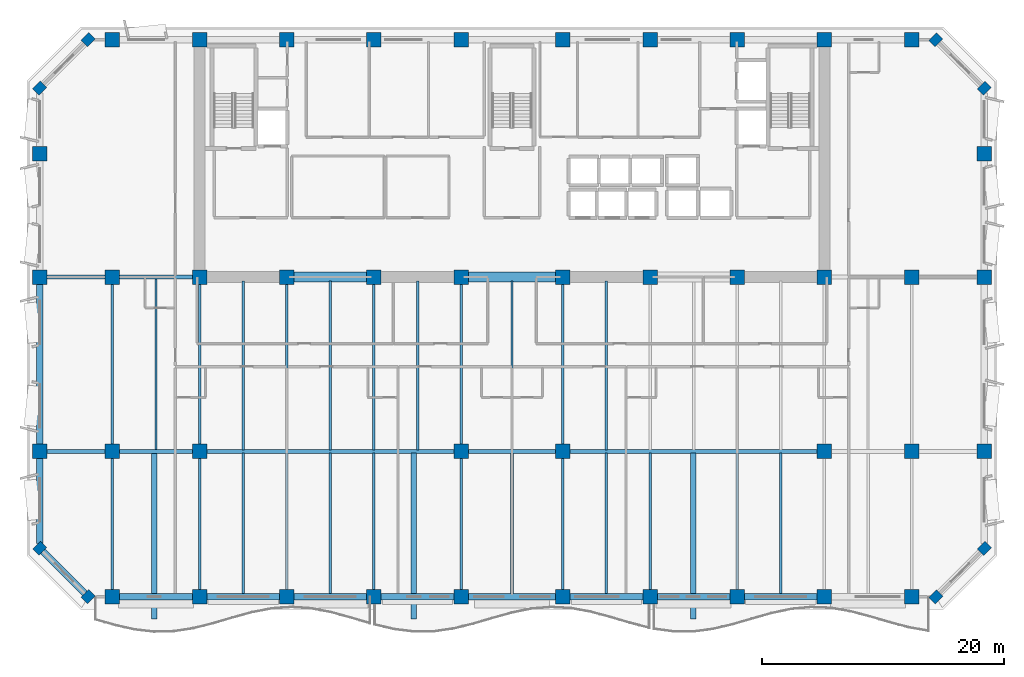
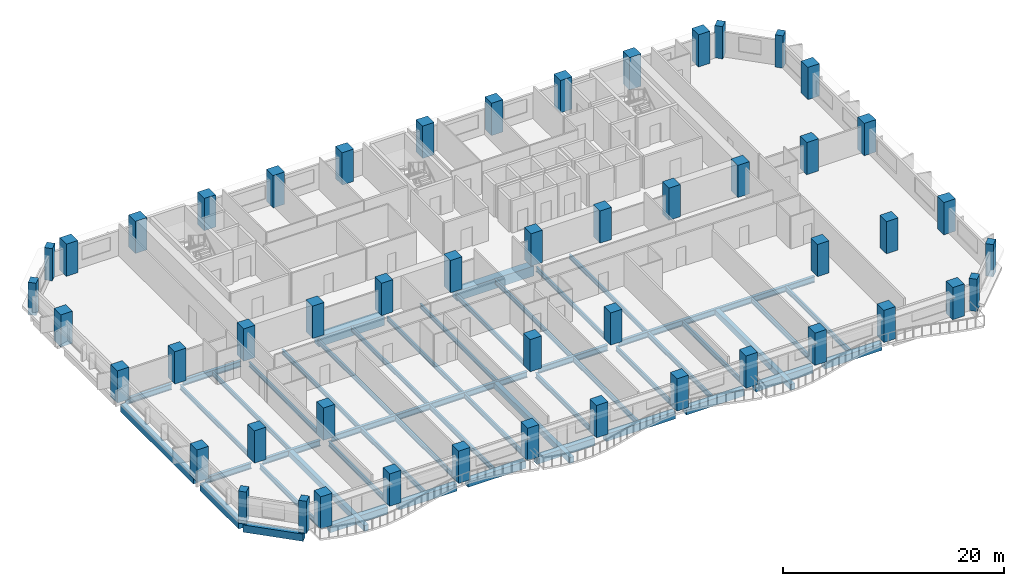
# One storey, part 1 of 14: 50 columns, 48 beams.
"""IFC4 building model written with IfcOpenShell, lengths in metres."""

from ifc_helpers import new_model, si_unit, direction, frame, origin, origin_2d, place, context, subcontext, project, spatial, rectangle, i_section, extrude, material, material_profile, profile_set, type_object, element, save


model = new_model("IFC4")

# Units and contexts
model_context = context("Model", 3, precision=1e-05, world=origin(), true_north=direction((0.0, 1.0)))
body_context = subcontext(model_context, "Body", "Model", "MODEL_VIEW")
ifc_project = project(units=[si_unit("LENGTHUNIT", "METRE"), si_unit("AREAUNIT", "SQUARE_METRE"), si_unit("VOLUMEUNIT", "CUBIC_METRE"), si_unit("PLANEANGLEUNIT", "RADIAN"), si_unit("MASSUNIT", "GRAM", prefix="KILO")], contexts=[model_context])

# Site, building, storey
site_placement = place(None, origin())
site = spatial("IfcSite", under=ifc_project, at=site_placement, CompositionType="ELEMENT")
building_placement = place(site_placement, origin())
building = spatial("IfcBuilding", under=site, at=building_placement, Name="Kaelvorn Grand Hotel", CompositionType="ELEMENT")
storey_placement = place(building_placement, frame((0.0, 0.0, 193.949951171875)))
storey = spatial("IfcBuildingStorey", under=building, at=storey_placement, Name="L47", CompositionType="ELEMENT", Elevation=193.949951171875)

# Columns
ifc_material_1 = material(Name="Concrete C60/75", Category="concrete")
ifc_material_profile_1 = material_profile(ifc_material_1, rectangle(XDim=0.89990234375, YDim=0.75, at=origin_2d()), Name="RC PILASTER 900x750")
ifc_profile_set_1 = profile_set([ifc_material_profile_1], Name="Concrete C60/75")
column_type_1 = type_object("IfcColumnType", Name="COL-PIL-900x750-C60", PredefinedType="PILASTER", material=ifc_profile_set_1)
for number, where, z_axis, x_axis, name in (
    (1, (7.0, 3.0, 0.0), (0.0, 0.0, 1.0), (0.707106781187, 0.707106781187, 0.0), "L47 Structural Column CH-01"),
    (2, (77.0, 3.0, 0.0), (0.0, 0.0, 1.0), (0.707106781187, 0.707106781187, 0.0), "L47 Structural Column CH-02"),
    (3, (81.0, 7.0, 0.0), (0.0, 0.0, 1.0), (0.707106781187, 0.707106781187, 0.0), "L47 Structural Column CH-03"),
    (4, (81.0, 45.0, 0.0), (0.0, 0.0, 1.0), (0.707106781187, 0.707106781187, 0.0), "L47 Structural Column CH-04"),
    (5, (77.0, 49.0, 0.0), (0.0, 0.0, 1.0), (0.707106781187, 0.707106781187, 0.0), "L47 Structural Column CH-05"),
    (6, (7.0, 49.0, 0.0), (0.0, 0.0, 1.0), (0.707106781187, 0.707106781187, 0.0), "L47 Structural Column CH-06"),
    (7, (3.0, 45.0, 0.0), (0.0, 0.0, 1.0), (0.707106781187, 0.707106781187, 0.0), "L47 Structural Column CH-07"),
    (8, (3.0, 7.0, 0.0), (0.0, 0.0, 1.0), (0.707106781187, 0.707106781187, 0.0), "L47 Structural Column CH-08"),
):
    element("IfcColumn", number, at=place(storey_placement, frame(where, z_axis=z_axis, x_axis=x_axis)), inside=storey, type_object=column_type_1, Name=name, PredefinedType="PILASTER", context=body_context, shape_type="SweptSolid", body=[
        extrude(rectangle(XDim=0.89990234375, YDim=0.75, at=origin_2d()), origin(), (0.0, 0.0, 1.0), 3.56005859375),
    ])
ifc_material_profile_2 = material_profile(ifc_material_1, rectangle(XDim=1.199951171875, YDim=1.199951171875, at=origin_2d()), Name="RC COL 1200x1200")
ifc_profile_set_2 = profile_set([ifc_material_profile_2], Name="Concrete C60/75")
column_type_2 = type_object("IfcColumnType", Name="COL-RC-1200-C60", PredefinedType="COLUMN", material=ifc_profile_set_2)
for number, where, z_axis, x_axis, name in (
    (9, (9.0, 3.0, 0.0), (0.0, 0.0, 1.0), (1.0, 0.0, 0.0), "L47 Structural Column S-01"),
    (10, (16.199951171875, 3.0, 0.0), (0.0, 0.0, 1.0), (1.0, 0.0, 0.0), "L47 Structural Column S-02"),
    (11, (23.39990234375, 3.0, 0.0), (0.0, 0.0, 1.0), (1.0, 0.0, 0.0), "L47 Structural Column S-03"),
    (12, (30.60009765625, 3.0, 0.0), (0.0, 0.0, 1.0), (1.0, 0.0, 0.0), "L47 Structural Column S-04"),
    (13, (37.800048828125, 3.0, 0.0), (0.0, 0.0, 1.0), (1.0, 0.0, 0.0), "L47 Structural Column S-05"),
    (14, (46.199951171875, 3.0, 0.0), (0.0, 0.0, 1.0), (1.0, 0.0, 0.0), "L47 Structural Column S-06"),
    (15, (53.39990234375, 3.0, 0.0), (0.0, 0.0, 1.0), (1.0, 0.0, 0.0), "L47 Structural Column S-07"),
    (16, (60.60009765625, 3.0, 0.0), (0.0, 0.0, 1.0), (1.0, 0.0, 0.0), "L47 Structural Column S-08"),
    (17, (67.800048828125, 3.0, 0.0), (0.0, 0.0, 1.0), (1.0, 0.0, 0.0), "L47 Structural Column S-09"),
    (18, (75.0, 3.0, 0.0), (0.0, 0.0, 1.0), (1.0, 0.0, 0.0), "L47 Structural Column S-10"),
    (19, (3.0, 15.0, 0.0), (0.0, 0.0, 1.0), (1.0, 0.0, 0.0), "L47 Structural Column W-01"),
    (20, (81.0, 15.0, 0.0), (0.0, 0.0, 1.0), (1.0, 0.0, 0.0), "L47 Structural Column E-01"),
    (21, (3.0, 29.39990234375, 0.0), (0.0, 0.0, 1.0), (1.0, 0.0, 0.0), "L47 Structural Column W-02"),
    (22, (81.0, 29.39990234375, 0.0), (0.0, 0.0, 1.0), (1.0, 0.0, 0.0), "L47 Structural Column E-02"),
    (23, (3.0, 39.60009765625, 0.0), (0.0, 0.0, 1.0), (1.0, 0.0, 0.0), "L47 Structural Column W-03"),
    (24, (81.0, 39.60009765625, 0.0), (0.0, 0.0, 1.0), (1.0, 0.0, 0.0), "L47 Structural Column E-03"),
    (25, (9.0, 15.0, 0.0), (0.0, 0.0, 1.0), (1.0, 0.0, 0.0), "L47 Structural Column M-01"),
    (26, (16.199951171875, 15.0, 0.0), (0.0, 0.0, 1.0), (1.0, 0.0, 0.0), "L47 Structural Column M-02"),
    (27, (37.800048828125, 15.0, 0.0), (0.0, 0.0, 1.0), (1.0, 0.0, 0.0), "L47 Structural Column M-03"),
    (28, (46.199951171875, 15.0, 0.0), (0.0, 0.0, 1.0), (1.0, 0.0, 0.0), "L47 Structural Column M-04"),
    (29, (67.800048828125, 15.0, 0.0), (0.0, 0.0, 1.0), (1.0, 0.0, 0.0), "L47 Structural Column M-05"),
    (30, (75.0, 15.0, 0.0), (0.0, 0.0, 1.0), (1.0, 0.0, 0.0), "L47 Structural Column M-06"),
    (31, (9.0, 29.39990234375, 0.0), (0.0, 0.0, 1.0), (1.0, 0.0, 0.0), "L47 Structural Column CR1-01"),
    (32, (9.0, 49.0, 0.0), (0.0, 0.0, 1.0), (1.0, 0.0, 0.0), "L47 Structural Column CR2-01"),
    (33, (16.199951171875, 29.39990234375, 0.0), (0.0, 0.0, 1.0), (1.0, 0.0, 0.0), "L47 Structural Column CR1-02"),
    (34, (16.199951171875, 49.0, 0.0), (0.0, 0.0, 1.0), (1.0, 0.0, 0.0), "L47 Structural Column CR2-02"),
    (35, (23.39990234375, 29.39990234375, 0.0), (0.0, 0.0, 1.0), (1.0, 0.0, 0.0), "L47 Structural Column CR1-03"),
    (36, (23.39990234375, 49.0, 0.0), (0.0, 0.0, 1.0), (1.0, 0.0, 0.0), "L47 Structural Column CR2-03"),
    (37, (30.60009765625, 29.39990234375, 0.0), (0.0, 0.0, 1.0), (1.0, 0.0, 0.0), "L47 Structural Column CR1-04"),
    (38, (30.60009765625, 49.0, 0.0), (0.0, 0.0, 1.0), (1.0, 0.0, 0.0), "L47 Structural Column CR2-04"),
    (39, (37.800048828125, 29.39990234375, 0.0), (0.0, 0.0, 1.0), (1.0, 0.0, 0.0), "L47 Structural Column CR1-05"),
    (40, (37.800048828125, 49.0, 0.0), (0.0, 0.0, 1.0), (1.0, 0.0, 0.0), "L47 Structural Column CR2-05"),
    (41, (46.199951171875, 29.39990234375, 0.0), (0.0, 0.0, 1.0), (1.0, 0.0, 0.0), "L47 Structural Column CR1-06"),
    (42, (46.199951171875, 49.0, 0.0), (0.0, 0.0, 1.0), (1.0, 0.0, 0.0), "L47 Structural Column CR2-06"),
    (43, (53.39990234375, 29.39990234375, 0.0), (0.0, 0.0, 1.0), (1.0, 0.0, 0.0), "L47 Structural Column CR1-07"),
    (44, (53.39990234375, 49.0, 0.0), (0.0, 0.0, 1.0), (1.0, 0.0, 0.0), "L47 Structural Column CR2-07"),
    (45, (60.60009765625, 29.39990234375, 0.0), (0.0, 0.0, 1.0), (1.0, 0.0, 0.0), "L47 Structural Column CR1-08"),
    (46, (60.60009765625, 49.0, 0.0), (0.0, 0.0, 1.0), (1.0, 0.0, 0.0), "L47 Structural Column CR2-08"),
    (47, (67.800048828125, 29.39990234375, 0.0), (0.0, 0.0, 1.0), (1.0, 0.0, 0.0), "L47 Structural Column CR1-09"),
    (48, (67.800048828125, 49.0, 0.0), (0.0, 0.0, 1.0), (1.0, 0.0, 0.0), "L47 Structural Column CR2-09"),
    (49, (75.0, 29.39990234375, 0.0), (0.0, 0.0, 1.0), (1.0, 0.0, 0.0), "L47 Structural Column CR1-10"),
    (50, (75.0, 49.0, 0.0), (0.0, 0.0, 1.0), (1.0, 0.0, 0.0), "L47 Structural Column CR2-10"),
):
    element("IfcColumn", number, at=place(storey_placement, frame(where, z_axis=z_axis, x_axis=x_axis)), inside=storey, type_object=column_type_2, Name=name, PredefinedType="COLUMN", context=body_context, shape_type="SweptSolid", body=[
        extrude(rectangle(XDim=1.199951171875, YDim=1.199951171875, at=origin_2d()), origin(), (0.0, 0.0, 1.0), 3.56005859375),
    ])

# Beams
ifc_material_2 = material(Name="Steel S355", Category="steel")
ifc_material_profile_3 = material_profile(ifc_material_2, i_section(OverallWidth=0.300048828125, OverallDepth=0.64990234375, WebThickness=0.01611328125, FlangeThickness=0.031005859375, FilletRadius=0.027099609375, at=origin_2d()), Name="HEB 650")
ifc_profile_set_3 = profile_set([ifc_material_profile_3], Name="Steel S355")
beam_type_1 = type_object("IfcBeamType", Name="BM-G-HEB650-S355", PredefinedType="BEAM", material=ifc_profile_set_3)
beam_1_placement = place(storey_placement, frame((3.5849609375, 15.0, -0.56494140625), z_axis=(1.0, 0.0, 0.0), x_axis=(0.0, 1.0, 0.0)))
element("IfcBeam", 51, at=beam_1_placement, inside=storey, type_object=beam_type_1, Name="L47 Primary Spine Steel Girder G-15 01", PredefinedType="BEAM", context=body_context, shape_type="SweptSolid", body=[
    extrude(i_section(OverallWidth=0.300048828125, OverallDepth=0.64990234375, WebThickness=0.01611328125, FlangeThickness=0.031005859375, FilletRadius=0.027099609375, at=origin_2d()), origin(), (0.0, 0.0, 1.0), 4.830078125),
])
beam_2_placement = place(storey_placement, frame((9.5849609375, 15.0, -0.56494140625), z_axis=(1.0, 0.0, 0.0), x_axis=(0.0, 1.0, 0.0)))
element("IfcBeam", 52, at=beam_2_placement, inside=storey, type_object=beam_type_1, Name="L47 Primary Spine Steel Girder G-15 02", PredefinedType="BEAM", context=body_context, shape_type="SweptSolid", body=[
    extrude(i_section(OverallWidth=0.300048828125, OverallDepth=0.64990234375, WebThickness=0.01611328125, FlangeThickness=0.031005859375, FilletRadius=0.027099609375, at=origin_2d()), origin(), (0.0, 0.0, 1.0), 6.030029296875),
])
beam_3_placement = place(storey_placement, frame((16.784912109375, 15.0, -0.56494140625), z_axis=(1.0, 0.0, 0.0), x_axis=(0.0, 1.0, 0.0)))
element("IfcBeam", 53, at=beam_3_placement, inside=storey, type_object=beam_type_1, Name="L47 Primary Spine Steel Girder G-15 03", PredefinedType="BEAM", context=body_context, shape_type="SweptSolid", body=[
    extrude(i_section(OverallWidth=0.300048828125, OverallDepth=0.64990234375, WebThickness=0.01611328125, FlangeThickness=0.031005859375, FilletRadius=0.027099609375, at=origin_2d()), origin(), (0.0, 0.0, 1.0), 20.43017578125),
])
beam_4_placement = place(storey_placement, frame((38.385009765625, 15.0, -0.56494140625), z_axis=(1.0, 0.0, 0.0), x_axis=(0.0, 1.0, 0.0)))
element("IfcBeam", 54, at=beam_4_placement, inside=storey, type_object=beam_type_1, Name="L47 Primary Spine Steel Girder G-15 04", PredefinedType="BEAM", context=body_context, shape_type="SweptSolid", body=[
    extrude(i_section(OverallWidth=0.300048828125, OverallDepth=0.64990234375, WebThickness=0.01611328125, FlangeThickness=0.031005859375, FilletRadius=0.027099609375, at=origin_2d()), origin(), (0.0, 0.0, 1.0), 7.22998046875),
])
beam_5_placement = place(storey_placement, frame((46.784912109375, 15.0, -0.56494140625), z_axis=(1.0, 0.0, 0.0), x_axis=(0.0, 1.0, 0.0)))
element("IfcBeam", 55, at=beam_5_placement, inside=storey, type_object=beam_type_1, Name="L47 Primary Spine Steel Girder G-15 05", PredefinedType="BEAM", context=body_context, shape_type="SweptSolid", body=[
    extrude(i_section(OverallWidth=0.300048828125, OverallDepth=0.64990234375, WebThickness=0.01611328125, FlangeThickness=0.031005859375, FilletRadius=0.027099609375, at=origin_2d()), origin(), (0.0, 0.0, 1.0), 20.43017578125),
])
beam_6_placement = place(storey_placement, frame((3.5849609375, 29.39990234375, -0.56494140625), z_axis=(1.0, 0.0, 0.0), x_axis=(0.0, 1.0, 0.0)))
element("IfcBeam", 56, at=beam_6_placement, inside=storey, type_object=beam_type_1, Name="L47 West Core Wing Steel Girder G-29W 01", PredefinedType="BEAM", context=body_context, shape_type="SweptSolid", body=[
    extrude(i_section(OverallWidth=0.300048828125, OverallDepth=0.64990234375, WebThickness=0.01611328125, FlangeThickness=0.031005859375, FilletRadius=0.027099609375, at=origin_2d()), origin(), (0.0, 0.0, 1.0), 4.830078125),
])
beam_7_placement = place(storey_placement, frame((9.5849609375, 29.39990234375, -0.56494140625), z_axis=(1.0, 0.0, 0.0), x_axis=(0.0, 1.0, 0.0)))
element("IfcBeam", 57, at=beam_7_placement, inside=storey, type_object=beam_type_1, Name="L47 West Core Wing Steel Girder G-29W 02", PredefinedType="BEAM", context=body_context, shape_type="SweptSolid", body=[
    extrude(i_section(OverallWidth=0.300048828125, OverallDepth=0.64990234375, WebThickness=0.01611328125, FlangeThickness=0.031005859375, FilletRadius=0.027099609375, at=origin_2d()), origin(), (0.0, 0.0, 1.0), 6.030029296875),
])
ifc_material_profile_4 = material_profile(ifc_material_2, i_section(OverallWidth=0.199951171875, OverallDepth=0.5, WebThickness=0.01025390625, FlangeThickness=0.01611328125, FilletRadius=0.02099609375, at=origin_2d()), Name="IPE 500")
ifc_profile_set_4 = profile_set([ifc_material_profile_4], Name="Steel S355")
beam_type_2 = type_object("IfcBeamType", Name="BM-J-IPE500-S355", PredefinedType="JOIST", material=ifc_profile_set_4)
beam_8_placement = place(storey_placement, frame((9.0, 15.5849609375, -0.489990234375), z_axis=(0.0, 1.0, 0.0), x_axis=(-1.0, 0.0, 0.0)))
element("IfcBeam", 58, at=beam_8_placement, inside=storey, type_object=beam_type_2, Name="L47 Composite Floor Joist JM-03", PredefinedType="JOIST", context=body_context, shape_type="SweptSolid", body=[
    extrude(i_section(OverallWidth=0.199951171875, OverallDepth=0.5, WebThickness=0.01025390625, FlangeThickness=0.01611328125, FilletRadius=0.02099609375, at=origin_2d()), origin(), (0.0, 0.0, 1.0), 13.22998046875),
])
beam_9_placement = place(storey_placement, frame((12.60009765625, 15.135009765625, -0.489990234375), z_axis=(0.0, 1.0, 0.0), x_axis=(-1.0, 0.0, 0.0)))
element("IfcBeam", 59, at=beam_9_placement, inside=storey, type_object=beam_type_2, Name="L47 Composite Floor Joist JM-04", PredefinedType="JOIST", context=body_context, shape_type="SweptSolid", body=[
    extrude(i_section(OverallWidth=0.199951171875, OverallDepth=0.5, WebThickness=0.01025390625, FlangeThickness=0.01611328125, FilletRadius=0.02099609375, at=origin_2d()), origin(), (0.0, 0.0, 1.0), 14.1298828125),
])
beam_10_placement = place(storey_placement, frame((16.199951171875, 15.5849609375, -0.489990234375), z_axis=(0.0, 1.0, 0.0), x_axis=(-1.0, 0.0, 0.0)))
element("IfcBeam", 60, at=beam_10_placement, inside=storey, type_object=beam_type_2, Name="L47 Composite Floor Joist JM-05", PredefinedType="JOIST", context=body_context, shape_type="SweptSolid", body=[
    extrude(i_section(OverallWidth=0.199951171875, OverallDepth=0.5, WebThickness=0.01025390625, FlangeThickness=0.01611328125, FilletRadius=0.02099609375, at=origin_2d()), origin(), (0.0, 0.0, 1.0), 13.22998046875),
])
beam_11_placement = place(storey_placement, frame((19.800048828125, 15.135009765625, -0.489990234375), z_axis=(0.0, 1.0, 0.0), x_axis=(-1.0, 0.0, 0.0)))
element("IfcBeam", 61, at=beam_11_placement, inside=storey, type_object=beam_type_2, Name="L47 Composite Floor Joist JM-06", PredefinedType="JOIST", context=body_context, shape_type="SweptSolid", body=[
    extrude(i_section(OverallWidth=0.199951171875, OverallDepth=0.5, WebThickness=0.01025390625, FlangeThickness=0.01611328125, FilletRadius=0.02099609375, at=origin_2d()), origin(), (0.0, 0.0, 1.0), 13.925048828125),
])
beam_12_placement = place(storey_placement, frame((23.39990234375, 15.135009765625, -0.489990234375), z_axis=(0.0, 1.0, 0.0), x_axis=(-1.0, 0.0, 0.0)))
element("IfcBeam", 62, at=beam_12_placement, inside=storey, type_object=beam_type_2, Name="L47 Composite Floor Joist JM-07", PredefinedType="JOIST", context=body_context, shape_type="SweptSolid", body=[
    extrude(i_section(OverallWidth=0.199951171875, OverallDepth=0.5, WebThickness=0.01025390625, FlangeThickness=0.01611328125, FilletRadius=0.02099609375, at=origin_2d()), origin(), (0.0, 0.0, 1.0), 13.679931640625),
])
beam_13_placement = place(storey_placement, frame((27.0, 15.135009765625, -0.489990234375), z_axis=(0.0, 1.0, 0.0), x_axis=(-1.0, 0.0, 0.0)))
element("IfcBeam", 63, at=beam_13_placement, inside=storey, type_object=beam_type_2, Name="L47 Composite Floor Joist JM-08", PredefinedType="JOIST", context=body_context, shape_type="SweptSolid", body=[
    extrude(i_section(OverallWidth=0.199951171875, OverallDepth=0.5, WebThickness=0.01025390625, FlangeThickness=0.01611328125, FilletRadius=0.02099609375, at=origin_2d()), origin(), (0.0, 0.0, 1.0), 13.925048828125),
])
beam_14_placement = place(storey_placement, frame((30.60009765625, 15.135009765625, -0.489990234375), z_axis=(0.0, 1.0, 0.0), x_axis=(-1.0, 0.0, 0.0)))
element("IfcBeam", 64, at=beam_14_placement, inside=storey, type_object=beam_type_2, Name="L47 Composite Floor Joist JM-09", PredefinedType="JOIST", context=body_context, shape_type="SweptSolid", body=[
    extrude(i_section(OverallWidth=0.199951171875, OverallDepth=0.5, WebThickness=0.01025390625, FlangeThickness=0.01611328125, FilletRadius=0.02099609375, at=origin_2d()), origin(), (0.0, 0.0, 1.0), 13.679931640625),
])
beam_15_placement = place(storey_placement, frame((34.199951171875, 15.135009765625, -0.489990234375), z_axis=(0.0, 1.0, 0.0), x_axis=(-1.0, 0.0, 0.0)))
element("IfcBeam", 65, at=beam_15_placement, inside=storey, type_object=beam_type_2, Name="L47 Composite Floor Joist JM-10", PredefinedType="JOIST", context=body_context, shape_type="SweptSolid", body=[
    extrude(i_section(OverallWidth=0.199951171875, OverallDepth=0.5, WebThickness=0.01025390625, FlangeThickness=0.01611328125, FilletRadius=0.02099609375, at=origin_2d()), origin(), (0.0, 0.0, 1.0), 13.925048828125),
])
beam_16_placement = place(storey_placement, frame((37.800048828125, 15.5849609375, -0.489990234375), z_axis=(0.0, 1.0, 0.0), x_axis=(-1.0, 0.0, 0.0)))
element("IfcBeam", 66, at=beam_16_placement, inside=storey, type_object=beam_type_2, Name="L47 Composite Floor Joist JM-11", PredefinedType="JOIST", context=body_context, shape_type="SweptSolid", body=[
    extrude(i_section(OverallWidth=0.199951171875, OverallDepth=0.5, WebThickness=0.01025390625, FlangeThickness=0.01611328125, FilletRadius=0.02099609375, at=origin_2d()), origin(), (0.0, 0.0, 1.0), 13.22998046875),
])
beam_17_placement = place(storey_placement, frame((42.0, 15.135009765625, -0.489990234375), z_axis=(0.0, 1.0, 0.0), x_axis=(-1.0, 0.0, 0.0)))
element("IfcBeam", 67, at=beam_17_placement, inside=storey, type_object=beam_type_2, Name="L47 Composite Floor Joist JM-12", PredefinedType="JOIST", context=body_context, shape_type="SweptSolid", body=[
    extrude(i_section(OverallWidth=0.199951171875, OverallDepth=0.5, WebThickness=0.01025390625, FlangeThickness=0.01611328125, FilletRadius=0.02099609375, at=origin_2d()), origin(), (0.0, 0.0, 1.0), 13.925048828125),
])
beam_18_placement = place(storey_placement, frame((46.199951171875, 15.5849609375, -0.489990234375), z_axis=(0.0, 1.0, 0.0), x_axis=(-1.0, 0.0, 0.0)))
element("IfcBeam", 68, at=beam_18_placement, inside=storey, type_object=beam_type_2, Name="L47 Composite Floor Joist JM-13", PredefinedType="JOIST", context=body_context, shape_type="SweptSolid", body=[
    extrude(i_section(OverallWidth=0.199951171875, OverallDepth=0.5, WebThickness=0.01025390625, FlangeThickness=0.01611328125, FilletRadius=0.02099609375, at=origin_2d()), origin(), (0.0, 0.0, 1.0), 13.22998046875),
])
beam_19_placement = place(storey_placement, frame((49.800048828125, 15.135009765625, -0.489990234375), z_axis=(0.0, 1.0, 0.0), x_axis=(-1.0, 0.0, 0.0)))
element("IfcBeam", 69, at=beam_19_placement, inside=storey, type_object=beam_type_2, Name="L47 Composite Floor Joist JM-14", PredefinedType="JOIST", context=body_context, shape_type="SweptSolid", body=[
    extrude(i_section(OverallWidth=0.199951171875, OverallDepth=0.5, WebThickness=0.01025390625, FlangeThickness=0.01611328125, FilletRadius=0.02099609375, at=origin_2d()), origin(), (0.0, 0.0, 1.0), 13.925048828125),
])
ifc_material_profile_5 = material_profile(ifc_material_2, i_section(OverallWidth=0.2099609375, OverallDepth=0.550048828125, WebThickness=0.010986328125, FlangeThickness=0.01708984375, FilletRadius=0.02392578125, at=origin_2d()), Name="IPE 550")
ifc_profile_set_5 = profile_set([ifc_material_profile_5], Name="Steel S355")
beam_type_3 = type_object("IfcBeamType", Name="BM-J-IPE550-S355", PredefinedType="JOIST", material=ifc_profile_set_5)
for number, where, z_axis, x_axis, name in (
    (70, (9.0, 3.5849609375, -0.514892578125), (0.0, 1.0, 0.0), (-1.0, 0.0, 0.0), "L47 Composite Floor Joist JS-03"),
    (71, (16.199951171875, 3.5849609375, -0.514892578125), (0.0, 1.0, 0.0), (-1.0, 0.0, 0.0), "L47 Composite Floor Joist JS-05"),
):
    element("IfcBeam", number, at=place(storey_placement, frame(where, z_axis=z_axis, x_axis=x_axis)), inside=storey, type_object=beam_type_3, Name=name, PredefinedType="JOIST", context=body_context, shape_type="SweptSolid", body=[
        extrude(i_section(OverallWidth=0.2099609375, OverallDepth=0.550048828125, WebThickness=0.010986328125, FlangeThickness=0.01708984375, FilletRadius=0.02392578125, at=origin_2d()), origin(), (0.0, 0.0, 1.0), 10.830078125),
    ])
beam_20_placement = place(storey_placement, frame((19.800048828125, 3.260009765625, -0.514892578125), z_axis=(0.0, 1.0, 0.0), x_axis=(-1.0, 0.0, 0.0)))
element("IfcBeam", 72, at=beam_20_placement, inside=storey, type_object=beam_type_3, Name="L47 Composite Floor Joist JS-06", PredefinedType="JOIST", context=body_context, shape_type="SweptSolid", body=[
    extrude(i_section(OverallWidth=0.2099609375, OverallDepth=0.550048828125, WebThickness=0.010986328125, FlangeThickness=0.01708984375, FilletRadius=0.02392578125, at=origin_2d()), origin(), (0.0, 0.0, 1.0), 11.60498046875),
])
beam_21_placement = place(storey_placement, frame((23.39990234375, 3.5849609375, -0.514892578125), z_axis=(0.0, 1.0, 0.0), x_axis=(-1.0, 0.0, 0.0)))
element("IfcBeam", 73, at=beam_21_placement, inside=storey, type_object=beam_type_3, Name="L47 Composite Floor Joist JS-07", PredefinedType="JOIST", context=body_context, shape_type="SweptSolid", body=[
    extrude(i_section(OverallWidth=0.2099609375, OverallDepth=0.550048828125, WebThickness=0.010986328125, FlangeThickness=0.01708984375, FilletRadius=0.02392578125, at=origin_2d()), origin(), (0.0, 0.0, 1.0), 11.280029296875),
])
beam_22_placement = place(storey_placement, frame((27.0, 3.260009765625, -0.514892578125), z_axis=(0.0, 1.0, 0.0), x_axis=(-1.0, 0.0, 0.0)))
element("IfcBeam", 74, at=beam_22_placement, inside=storey, type_object=beam_type_3, Name="L47 Composite Floor Joist JS-08", PredefinedType="JOIST", context=body_context, shape_type="SweptSolid", body=[
    extrude(i_section(OverallWidth=0.2099609375, OverallDepth=0.550048828125, WebThickness=0.010986328125, FlangeThickness=0.01708984375, FilletRadius=0.02392578125, at=origin_2d()), origin(), (0.0, 0.0, 1.0), 11.60498046875),
])
beam_23_placement = place(storey_placement, frame((30.60009765625, 3.5849609375, -0.514892578125), z_axis=(0.0, 1.0, 0.0), x_axis=(-1.0, 0.0, 0.0)))
element("IfcBeam", 75, at=beam_23_placement, inside=storey, type_object=beam_type_3, Name="L47 Composite Floor Joist JS-09", PredefinedType="JOIST", context=body_context, shape_type="SweptSolid", body=[
    extrude(i_section(OverallWidth=0.2099609375, OverallDepth=0.550048828125, WebThickness=0.010986328125, FlangeThickness=0.01708984375, FilletRadius=0.02392578125, at=origin_2d()), origin(), (0.0, 0.0, 1.0), 11.280029296875),
])
beam_24_placement = place(storey_placement, frame((37.800048828125, 3.5849609375, -0.514892578125), z_axis=(0.0, 1.0, 0.0), x_axis=(-1.0, 0.0, 0.0)))
element("IfcBeam", 76, at=beam_24_placement, inside=storey, type_object=beam_type_3, Name="L47 Composite Floor Joist JS-11", PredefinedType="JOIST", context=body_context, shape_type="SweptSolid", body=[
    extrude(i_section(OverallWidth=0.2099609375, OverallDepth=0.550048828125, WebThickness=0.010986328125, FlangeThickness=0.01708984375, FilletRadius=0.02392578125, at=origin_2d()), origin(), (0.0, 0.0, 1.0), 10.830078125),
])
beam_25_placement = place(storey_placement, frame((42.0, 3.260009765625, -0.514892578125), z_axis=(0.0, 1.0, 0.0), x_axis=(-1.0, 0.0, 0.0)))
element("IfcBeam", 77, at=beam_25_placement, inside=storey, type_object=beam_type_3, Name="L47 Composite Floor Joist JS-12", PredefinedType="JOIST", context=body_context, shape_type="SweptSolid", body=[
    extrude(i_section(OverallWidth=0.2099609375, OverallDepth=0.550048828125, WebThickness=0.010986328125, FlangeThickness=0.01708984375, FilletRadius=0.02392578125, at=origin_2d()), origin(), (0.0, 0.0, 1.0), 11.60498046875),
])
beam_26_placement = place(storey_placement, frame((46.199951171875, 3.5849609375, -0.514892578125), z_axis=(0.0, 1.0, 0.0), x_axis=(-1.0, 0.0, 0.0)))
element("IfcBeam", 78, at=beam_26_placement, inside=storey, type_object=beam_type_3, Name="L47 Composite Floor Joist JS-13", PredefinedType="JOIST", context=body_context, shape_type="SweptSolid", body=[
    extrude(i_section(OverallWidth=0.2099609375, OverallDepth=0.550048828125, WebThickness=0.010986328125, FlangeThickness=0.01708984375, FilletRadius=0.02392578125, at=origin_2d()), origin(), (0.0, 0.0, 1.0), 10.830078125),
])
beam_27_placement = place(storey_placement, frame((49.800048828125, 3.260009765625, -0.514892578125), z_axis=(0.0, 1.0, 0.0), x_axis=(-1.0, 0.0, 0.0)))
element("IfcBeam", 79, at=beam_27_placement, inside=storey, type_object=beam_type_3, Name="L47 Composite Floor Joist JS-14", PredefinedType="JOIST", context=body_context, shape_type="SweptSolid", body=[
    extrude(i_section(OverallWidth=0.2099609375, OverallDepth=0.550048828125, WebThickness=0.010986328125, FlangeThickness=0.01708984375, FilletRadius=0.02392578125, at=origin_2d()), origin(), (0.0, 0.0, 1.0), 11.60498046875),
])
for number, where, z_axis, x_axis, name in (
    (80, (53.39990234375, 3.5849609375, -0.514892578125), (0.0, 1.0, 0.0), (-1.0, 0.0, 0.0), "L47 Composite Floor Joist JS-15"),
    (81, (60.60009765625, 3.5849609375, -0.514892578125), (0.0, 1.0, 0.0), (-1.0, 0.0, 0.0), "L47 Composite Floor Joist JS-17"),
):
    element("IfcBeam", number, at=place(storey_placement, frame(where, z_axis=z_axis, x_axis=x_axis)), inside=storey, type_object=beam_type_3, Name=name, PredefinedType="JOIST", context=body_context, shape_type="SweptSolid", body=[
        extrude(i_section(OverallWidth=0.2099609375, OverallDepth=0.550048828125, WebThickness=0.010986328125, FlangeThickness=0.01708984375, FilletRadius=0.02392578125, at=origin_2d()), origin(), (0.0, 0.0, 1.0), 11.280029296875),
    ])
beam_28_placement = place(storey_placement, frame((64.199951171875, 3.260009765625, -0.514892578125), z_axis=(0.0, 1.0, 0.0), x_axis=(-1.0, 0.0, 0.0)))
element("IfcBeam", 82, at=beam_28_placement, inside=storey, type_object=beam_type_3, Name="L47 Composite Floor Joist JS-18", PredefinedType="JOIST", context=body_context, shape_type="SweptSolid", body=[
    extrude(i_section(OverallWidth=0.2099609375, OverallDepth=0.550048828125, WebThickness=0.010986328125, FlangeThickness=0.01708984375, FilletRadius=0.02392578125, at=origin_2d()), origin(), (0.0, 0.0, 1.0), 11.60498046875),
])
ifc_material_profile_6 = material_profile(ifc_material_1, rectangle(XDim=0.800048828125, YDim=1.10009765625, at=origin_2d()), Name="RC LINTEL 800x1100")
ifc_profile_set_6 = profile_set([ifc_material_profile_6], Name="Concrete C60/75")
beam_type_4 = type_object("IfcBeamType", Name="BM-LIN-800x1100-C60", PredefinedType="LINTEL", material=ifc_profile_set_6)
beam_29_placement = place(storey_placement, frame((23.580078125, 29.39990234375, -0.7900390625), z_axis=(1.0, 0.0, 0.0), x_axis=(0.0, 1.0, 0.0)))
element("IfcBeam", 83, at=beam_29_placement, inside=storey, type_object=beam_type_4, Name="L47 Rear-Core Coupling Lintel Beam CB1-01", PredefinedType="LINTEL", context=body_context, shape_type="SweptSolid", body=[
    extrude(rectangle(XDim=0.800048828125, YDim=1.10009765625, at=origin_2d()), origin(), (0.0, 0.0, 1.0), 6.83984375),
])
beam_30_placement = place(storey_placement, frame((37.97998046875, 29.39990234375, -0.7900390625), z_axis=(1.0, 0.0, 0.0), x_axis=(0.0, 1.0, 0.0)))
element("IfcBeam", 84, at=beam_30_placement, inside=storey, type_object=beam_type_4, Name="L47 Rear-Core Coupling Lintel Beam CB1-02", PredefinedType="LINTEL", context=body_context, shape_type="SweptSolid", body=[
    extrude(rectangle(XDim=0.800048828125, YDim=1.10009765625, at=origin_2d()), origin(), (0.0, 0.0, 1.0), 8.0400390625),
])
ifc_material_3 = material(Name="Concrete C40/50", Category="concrete")
ifc_material_profile_7 = material_profile(ifc_material_3, rectangle(XDim=0.449951171875, YDim=0.64990234375, at=origin_2d()), Name="RC RIB 450x650")
ifc_profile_set_7 = profile_set([ifc_material_profile_7], Name="Concrete C40/50")
beam_type_5 = type_object("IfcBeamType", Name="BM-RIB-450x650-C40", PredefinedType="SPANDREL", material=ifc_profile_set_7)
for number, where, z_axis, x_axis, name in (
    (85, (12.45703125, 1.14990234375, -0.544921875), (0.0, 1.0, 0.0), (-1.0, 0.0, 0.0), "L47 Cantilevered Balcony Back-Span Rib RB1-1"),
    (86, (33.90478515625, 1.14990234375, -0.544921875), (0.0, 1.0, 0.0), (-1.0, 0.0, 0.0), "L47 Cantilevered Balcony Back-Span Rib RB1-2"),
    (87, (56.971435546875, 1.14990234375, -0.544921875), (0.0, 1.0, 0.0), (-1.0, 0.0, 0.0), "L47 Cantilevered Balcony Back-Span Rib RB1-3"),
):
    element("IfcBeam", number, at=place(storey_placement, frame(where, z_axis=z_axis, x_axis=x_axis)), inside=storey, type_object=beam_type_5, Name=name, PredefinedType="SPANDREL", context=body_context, shape_type="SweptSolid", body=[
        extrude(rectangle(XDim=0.449951171875, YDim=0.64990234375, at=origin_2d()), origin(), (0.0, 0.0, 1.0), 13.715087890625),
    ])
ifc_material_4 = material(Name="Concrete C50/60", Category="concrete")
ifc_material_profile_8 = material_profile(ifc_material_4, rectangle(XDim=0.550048828125, YDim=0.800048828125, at=origin_2d()), Name="RC SPANDREL 550x800")
ifc_profile_set_8 = profile_set([ifc_material_profile_8], Name="Concrete C50/60")
beam_type_6 = type_object("IfcBeamType", Name="BM-SP-550x800-C50", PredefinedType="SPANDREL", material=ifc_profile_set_8)
for number, where, z_axis, x_axis, name in (
    (88, (9.5849609375, 3.0, -0.639892578125), (1.0, 0.0, 0.0), (0.0, 1.0, 0.0), "L47 South Perimeter Spandrel 02"),
    (89, (16.784912109375, 3.0, -0.639892578125), (1.0, 0.0, 0.0), (0.0, 1.0, 0.0), "L47 South Perimeter Spandrel 03"),
):
    element("IfcBeam", number, at=place(storey_placement, frame(where, z_axis=z_axis, x_axis=x_axis)), inside=storey, type_object=beam_type_6, Name=name, PredefinedType="SPANDREL", context=body_context, shape_type="SweptSolid", body=[
        extrude(rectangle(XDim=0.550048828125, YDim=0.800048828125, at=origin_2d()), origin(), (0.0, 0.0, 1.0), 6.030029296875),
    ])
beam_31_placement = place(storey_placement, frame((23.985107421875, 3.0, -0.639892578125), z_axis=(1.0, 0.0, 0.0), x_axis=(0.0, 1.0, 0.0)))
element("IfcBeam", 90, at=beam_31_placement, inside=storey, type_object=beam_type_6, Name="L47 South Perimeter Spandrel 04", PredefinedType="SPANDREL", context=body_context, shape_type="SweptSolid", body=[
    extrude(rectangle(XDim=0.550048828125, YDim=0.800048828125, at=origin_2d()), origin(), (0.0, 0.0, 1.0), 6.02978515625),
])
beam_32_placement = place(storey_placement, frame((31.18505859375, 3.0, -0.639892578125), z_axis=(1.0, 0.0, 0.0), x_axis=(0.0, 1.0, 0.0)))
element("IfcBeam", 91, at=beam_32_placement, inside=storey, type_object=beam_type_6, Name="L47 South Perimeter Spandrel 05", PredefinedType="SPANDREL", context=body_context, shape_type="SweptSolid", body=[
    extrude(rectangle(XDim=0.550048828125, YDim=0.800048828125, at=origin_2d()), origin(), (0.0, 0.0, 1.0), 6.030029296875),
])
beam_33_placement = place(storey_placement, frame((38.385009765625, 3.0, -0.639892578125), z_axis=(1.0, 0.0, 0.0), x_axis=(0.0, 1.0, 0.0)))
element("IfcBeam", 92, at=beam_33_placement, inside=storey, type_object=beam_type_6, Name="L47 South Perimeter Spandrel 06", PredefinedType="SPANDREL", context=body_context, shape_type="SweptSolid", body=[
    extrude(rectangle(XDim=0.550048828125, YDim=0.800048828125, at=origin_2d()), origin(), (0.0, 0.0, 1.0), 7.22998046875),
])
beam_34_placement = place(storey_placement, frame((46.784912109375, 3.0, -0.639892578125), z_axis=(1.0, 0.0, 0.0), x_axis=(0.0, 1.0, 0.0)))
element("IfcBeam", 93, at=beam_34_placement, inside=storey, type_object=beam_type_6, Name="L47 South Perimeter Spandrel 07", PredefinedType="SPANDREL", context=body_context, shape_type="SweptSolid", body=[
    extrude(rectangle(XDim=0.550048828125, YDim=0.800048828125, at=origin_2d()), origin(), (0.0, 0.0, 1.0), 6.030029296875),
])
beam_35_placement = place(storey_placement, frame((53.985107421875, 3.0, -0.639892578125), z_axis=(1.0, 0.0, 0.0), x_axis=(0.0, 1.0, 0.0)))
element("IfcBeam", 94, at=beam_35_placement, inside=storey, type_object=beam_type_6, Name="L47 South Perimeter Spandrel 08", PredefinedType="SPANDREL", context=body_context, shape_type="SweptSolid", body=[
    extrude(rectangle(XDim=0.550048828125, YDim=0.800048828125, at=origin_2d()), origin(), (0.0, 0.0, 1.0), 6.02978515625),
])
beam_36_placement = place(storey_placement, frame((61.18505859375, 3.0, -0.639892578125), z_axis=(1.0, 0.0, 0.0), x_axis=(0.0, 1.0, 0.0)))
element("IfcBeam", 95, at=beam_36_placement, inside=storey, type_object=beam_type_6, Name="L47 South Perimeter Spandrel 09", PredefinedType="SPANDREL", context=body_context, shape_type="SweptSolid", body=[
    extrude(rectangle(XDim=0.550048828125, YDim=0.800048828125, at=origin_2d()), origin(), (0.0, 0.0, 1.0), 6.030029296875),
])
beam_37_placement = place(storey_placement, frame((3.0, 7.405029296875, -0.639892578125), z_axis=(0.0, 1.0, 0.0), x_axis=(-1.0, 0.0, 0.0)))
element("IfcBeam", 96, at=beam_37_placement, inside=storey, type_object=beam_type_6, Name="L47 West Perimeter Spandrel 01", PredefinedType="SPANDREL", context=body_context, shape_type="SweptSolid", body=[
    extrude(rectangle(XDim=0.550048828125, YDim=0.800048828125, at=origin_2d()), origin(), (0.0, 0.0, 1.0), 7.010009765625),
])
beam_38_placement = place(storey_placement, frame((3.0, 15.5849609375, -0.639892578125), z_axis=(0.0, 1.0, 0.0), x_axis=(-1.0, 0.0, 0.0)))
element("IfcBeam", 97, at=beam_38_placement, inside=storey, type_object=beam_type_6, Name="L47 West Perimeter Spandrel 02", PredefinedType="SPANDREL", context=body_context, shape_type="SweptSolid", body=[
    extrude(rectangle(XDim=0.550048828125, YDim=0.800048828125, at=origin_2d()), origin(), (0.0, 0.0, 1.0), 13.22998046875),
])
beam_39_placement = place(storey_placement, frame((3.0, 7.0, -0.639892578125), z_axis=(0.707106781187, -0.707106781187, 0.0), x_axis=(0.707106781187, 0.707106781187, 0.0)))
element("IfcBeam", 98, at=beam_39_placement, inside=storey, type_object=beam_type_6, Name="L47 Chamfer Spandrel Beam 4", PredefinedType="SPANDREL", context=body_context, shape_type="SweptSolid", body=[
    extrude(rectangle(XDim=0.550048828125, YDim=0.800048828125, at=origin_2d()), origin(), (0.0, 0.0, 1.0), 5.65673828125),
])

save(model, "model.ifc")
